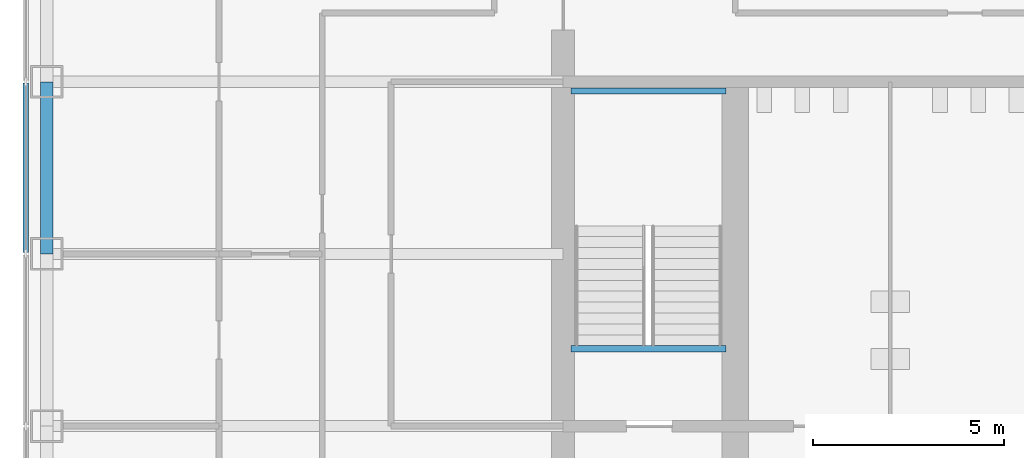
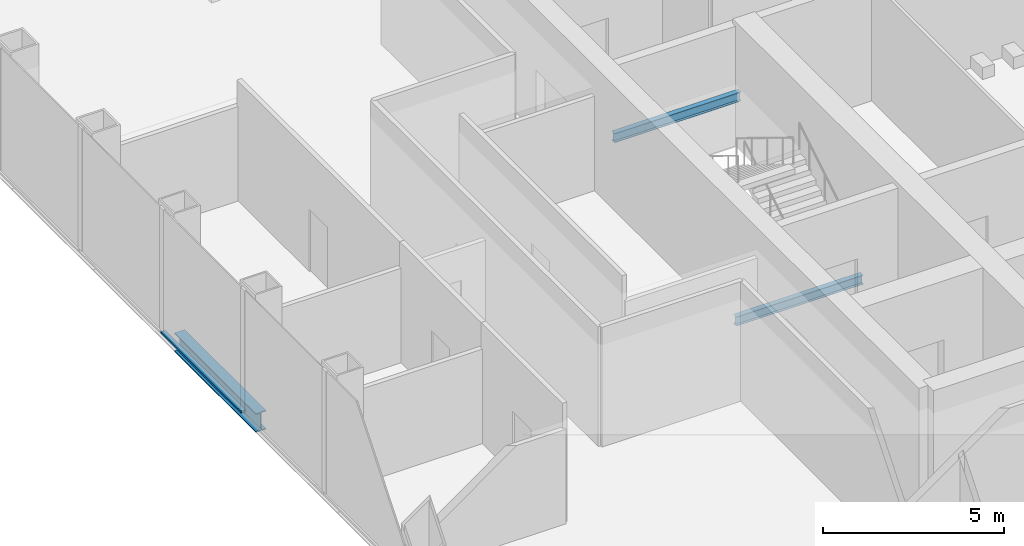
# One storey, part 3 of 12: 3 beams, 1 member, 1 element without a shape of its own.
"""IFC4 building model written with IfcOpenShell, lengths in metres."""

from ifc_helpers import new_model, si_unit, direction, frame, origin, origin_2d, place, context, subcontext, project, spatial, rectangle, i_section, extrude, material, material_profile, profile_set, type_object, element, aggregate, save


model = new_model("IFC4")

# Units and contexts
model_context = context("Model", 3, precision=1e-05, world=origin(), true_north=direction((0.0, 1.0)))
body_context = subcontext(model_context, "Body", "Model", "MODEL_VIEW")
ifc_project = project(units=[si_unit("LENGTHUNIT", "METRE"), si_unit("AREAUNIT", "SQUARE_METRE"), si_unit("VOLUMEUNIT", "CUBIC_METRE"), si_unit("PLANEANGLEUNIT", "RADIAN"), si_unit("MASSUNIT", "GRAM", prefix="KILO")], contexts=[model_context])

# Site, building, storey
site_placement = place(None, origin())
site = spatial("IfcSite", under=ifc_project, at=site_placement, CompositionType="ELEMENT")
building_placement = place(site_placement, origin())
building = spatial("IfcBuilding", under=site, at=building_placement, Name="Corais Broadcast Tower", CompositionType="ELEMENT")
storey_placement = place(building_placement, frame((0.0, 0.0, 29.0)))
storey = spatial("IfcBuildingStorey", under=building, at=storey_placement, Name="L05", CompositionType="ELEMENT", Elevation=29.0)

# Beams
ifc_material_1 = material(Name="Steel ASTM A572 Grade 50", Category="steel")
ifc_material_profile_1 = material_profile(ifc_material_1, i_section(OverallWidth=0.1650390625, OverallDepth=0.31005859375, WebThickness=0.005859375, FlangeThickness=0.009765625, at=origin_2d()), Name="W310x38.7")
ifc_profile_set_1 = profile_set([ifc_material_profile_1], Name="Steel ASTM A572 Grade 50")
beam_type_1 = type_object("IfcBeamType", Name="Landing trimmer W310x38.7", PredefinedType="BEAM", material=ifc_profile_set_1)
for number, where, z_axis, x_axis, name in (
    (1, (13.699951171875, 24.52490234375, -0.35498046875), (1.0, 0.0, 0.0), (0.0, 1.0, 0.0), "LT1 stair A landing trimmer L05"),
    (2, (13.699951171875, 31.260009765625, 1.7451171875), (1.0, 0.0, 0.0), (0.0, 1.0, 0.0), "LT1 stair A half landing trimmer L05"),
):
    element("IfcBeam", number, at=place(storey_placement, frame(where, z_axis=z_axis, x_axis=x_axis)), inside=storey, type_object=beam_type_1, Name=name, PredefinedType="BEAM", context=body_context, shape_type="SweptSolid", body=[
        extrude(i_section(OverallWidth=0.1650390625, OverallDepth=0.31005859375, WebThickness=0.005859375, FlangeThickness=0.009765625, at=origin_2d()), origin(), (0.0, 0.0, 1.0), 4.050048828125),
    ])
ifc_material_2 = material(Name="Steel ASTM A572 Grade 50", Category="steel")
ifc_material_profile_2 = material_profile(ifc_material_2, i_section(OverallWidth=0.3291015625, OverallDepth=0.635009765625, WebThickness=0.017822265625, FlangeThickness=0.031005859375, at=origin_2d()), Name="W610x241")
ifc_profile_set_2 = profile_set([ifc_material_profile_2], Name="Steel ASTM A572 Grade 50")
beam_type_2 = type_object("IfcBeamType", Name="Spandrel W610x241", PredefinedType="BEAM", material=ifc_profile_set_2)
beam_placement = place(storey_placement, frame((0.0, 31.5, -0.4775390625), z_axis=(0.0, -1.0, 0.0), x_axis=(1.0, 0.0, 0.0)))
element("IfcBeam", 3, at=beam_placement, inside=storey, type_object=beam_type_2, Name="SB1 H/3 to G/3", PredefinedType="BEAM", context=body_context, shape_type="SweptSolid", body=[
    extrude(i_section(OverallWidth=0.3291015625, OverallDepth=0.635009765625, WebThickness=0.017822265625, FlangeThickness=0.031005859375, at=origin_2d()), origin(), (0.0, 0.0, 1.0), 4.5),
])

# Curtain wall, member
ifc_material_3 = material(Name="Aluminium and glass", Category="aluminium")
curtain_wall_type = type_object("IfcCurtainWallType", Name="Newsroom clear-glass curtain wall CW7", PredefinedType="NOTDEFINED", material=ifc_material_3)
curtain_wall_placement = place(storey_placement, origin())
curtain_wall = element("IfcCurtainWall", 4, at=curtain_wall_placement, inside=storey, type_object=curtain_wall_type, Name="CW7 curtain wall L05 2", PredefinedType="NOTDEFINED")
ifc_material_4 = material(Name="Aluminium 6063-T6", Category="aluminium")
ifc_material_profile_3 = material_profile(ifc_material_4, rectangle(XDim=0.14990234375, YDim=0.06494140625, at=origin_2d()), Name="Transom CW7 65x150")
ifc_profile_set_3 = profile_set([ifc_material_profile_3], Name="Aluminium 6063-T6")
member_type = type_object("IfcMemberType", Name="Transom CW7 65x150", PredefinedType="USERDEFINED", material=ifc_profile_set_3)
member_placement = place(storey_placement, frame((-0.550048828125, 27.032470703125, 0.032470703125), z_axis=(0.0, 1.0, 0.0), x_axis=(-1.0, 0.0, 0.0)))
member = element("IfcMember", 5, at=member_placement, type_object=member_type, Name="CW7 transom 6.1", ObjectType="TRANSOM", PredefinedType="USERDEFINED", context=body_context, shape_type="SweptSolid", body=[
    extrude(rectangle(XDim=0.14990234375, YDim=0.06494140625, at=origin_2d()), origin(), (0.0, 0.0, 1.0), 4.43505859375),
])
aggregate(curtain_wall, [member])

save(model, "model.ifc")
